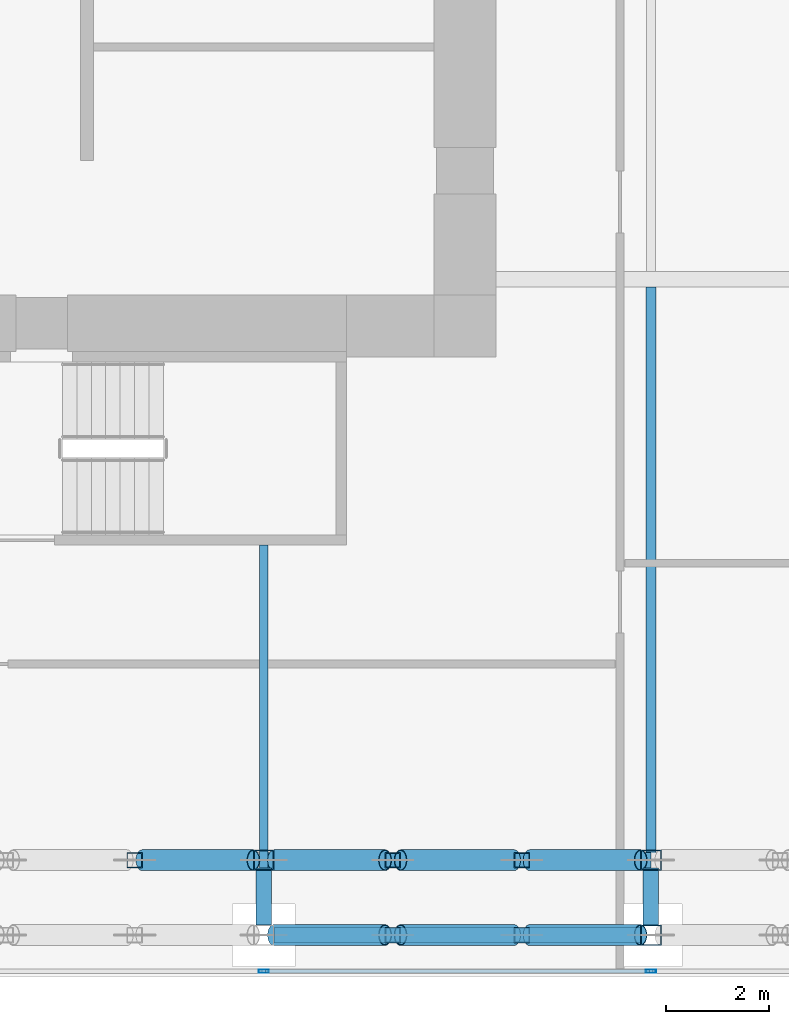
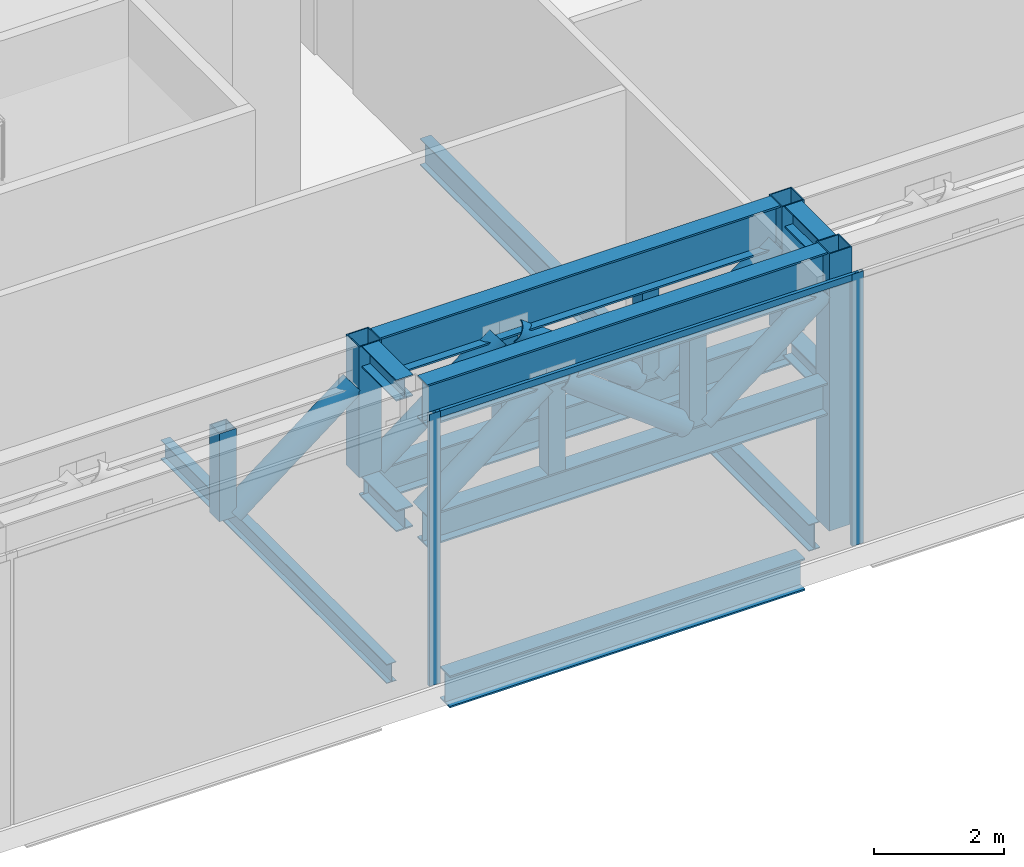
# One storey, part 5 of 39: 22 members, 7 beams, 1 element without a shape of its own.
"""IFC4 building model written with IfcOpenShell, lengths in metres."""

from ifc_helpers import new_model, si_unit, direction, frame, origin, origin_2d, place, context, subcontext, project, spatial, hollow_rectangle, hollow_circle, i_section, extrude, source, transform, mapped, material, material_profile, profile_set, type_object, element, aggregate, save


model = new_model("IFC4")

# Units and contexts
model_context = context("Model", 3, precision=1e-05, world=origin(), true_north=direction((0.0, 1.0)))
body_context = subcontext(model_context, "Body", "Model", "MODEL_VIEW")
ifc_project = project(units=[si_unit("LENGTHUNIT", "METRE"), si_unit("AREAUNIT", "SQUARE_METRE"), si_unit("VOLUMEUNIT", "CUBIC_METRE"), si_unit("PLANEANGLEUNIT", "RADIAN"), si_unit("MASSUNIT", "GRAM", prefix="KILO")], contexts=[model_context])

# Site, building, storey
site_placement = place(None, origin())
site = spatial("IfcSite", under=ifc_project, at=site_placement, CompositionType="ELEMENT")
building_placement = place(site_placement, origin())
building = spatial("IfcBuilding", under=site, at=building_placement, Name="Khomas Fold Tower", CompositionType="ELEMENT")
storey_placement = place(building_placement, frame((0.0, 0.0, 96.0)))
storey = spatial("IfcBuildingStorey", under=building, at=storey_placement, Name="L20", CompositionType="ELEMENT", Elevation=96.0)

# Beams
ifc_material_1 = material(Name="Steel S355", Category="steel")
ifc_material_profile_1 = material_profile(ifc_material_1, i_section(OverallWidth=0.169921875, OverallDepth=0.360107421875, WebThickness=0.008056640625, FlangeThickness=0.0126953125, at=origin_2d()), Name="IPE 360")
ifc_profile_set_1 = profile_set([ifc_material_profile_1], Name="Steel S355")
beam_type_1 = type_object("IfcBeamType", Name="IPE 360 beam JB2", PredefinedType="BEAM", material=ifc_profile_set_1)
shared_shape_1 = source(origin(), body_context, "Body", "SweptSolid", [
    extrude(i_section(OverallWidth=0.169921875, OverallDepth=0.360107421875, WebThickness=0.008056640625, FlangeThickness=0.0126953125, at=origin_2d()), origin(), (0.0, 0.0, 1.0), 6.9501953125),
])
beam_1_placement = place(storey_placement, frame((19.5, 1.39990234375, -0.580078125), z_axis=(0.0, 1.0, 0.0), x_axis=(-1.0, 0.0, 0.0)))
element("IfcBeam", 1, at=beam_1_placement, inside=storey, type_object=beam_type_1, Name="JB2", PredefinedType="BEAM", context=body_context, shape_type="MappedRepresentation", body=[
    mapped(shared_shape_1, transform((0.0, 0.0, 0.0))),
])
ifc_material_2 = material(Name="Steel S355", Category="steel")
ifc_material_profile_2 = material_profile(ifc_material_2, i_section(OverallWidth=0.300048828125, OverallDepth=0.60009765625, WebThickness=0.015380859375, FlangeThickness=0.030029296875, at=origin_2d()), Name="HE 600 B")
ifc_profile_set_2 = profile_set([ifc_material_profile_2], Name="Steel S355")
beam_type_2 = type_object("IfcBeamType", Name="HE 600 B spandrel SB1", PredefinedType="SPANDREL", material=ifc_profile_set_2)
shared_shape_2 = source(origin(), body_context, "Body", "SweptSolid", [
    extrude(i_section(OverallWidth=0.300048828125, OverallDepth=0.60009765625, WebThickness=0.015380859375, FlangeThickness=0.030029296875, at=origin_2d()), origin(), (0.0, 0.0, 1.0), 6.2998046875),
])
beam_2_placement = place(storey_placement, frame((20.10009765625, 0.800048828125, -0.699951171875), z_axis=(1.0, 0.0, 0.0), x_axis=(0.0, 1.0, 0.0)))
element("IfcBeam", 2, at=beam_2_placement, inside=storey, type_object=beam_type_2, Name="SB1", PredefinedType="SPANDREL", context=body_context, shape_type="MappedRepresentation", body=[
    mapped(shared_shape_2, transform((0.0, 0.0, 0.0))),
])
ifc_material_3 = material(Name="Steel S355", Category="steel")
ifc_material_profile_3 = material_profile(ifc_material_3, i_section(OverallWidth=0.199951171875, OverallDepth=0.5, WebThickness=0.01025390625, FlangeThickness=0.01611328125, at=origin_2d()), Name="IPE 500")
ifc_profile_set_3 = profile_set([ifc_material_profile_3], Name="Steel S355")
beam_type_3 = type_object("IfcBeamType", Name="IPE 500 beam JB5", PredefinedType="BEAM", material=ifc_profile_set_3)
shared_shape_3 = source(origin(), body_context, "Body", "SweptSolid", [
    extrude(i_section(OverallWidth=0.199951171875, OverallDepth=0.5, WebThickness=0.01025390625, FlangeThickness=0.01611328125, at=origin_2d()), origin(), (0.0, 0.0, 1.0), 11.9501953125),
])
beam_3_placement = place(storey_placement, frame((27.0, 1.39990234375, -0.64990234375), z_axis=(0.0, 1.0, 0.0), x_axis=(-1.0, 0.0, 0.0)))
element("IfcBeam", 3, at=beam_3_placement, inside=storey, type_object=beam_type_3, Name="JB5", PredefinedType="BEAM", context=body_context, shape_type="MappedRepresentation", body=[
    mapped(shared_shape_3, transform((0.0, 0.0, 0.0))),
])

# Members
ifc_material_4 = material(Name="Steel S355", Category="steel")
ifc_material_profile_4 = material_profile(ifc_material_4, i_section(OverallWidth=0.300048828125, OverallDepth=0.60009765625, WebThickness=0.015380859375, FlangeThickness=0.030029296875, at=origin_2d()), Name="HE 600 B")
ifc_profile_set_4 = profile_set([ifc_material_profile_4], Name="Steel S355")
member_type_1 = type_object("IfcMemberType", Name="BELT TRUSS 1 BOTTOM CHORD HE 600 B", PredefinedType="CHORD", material=ifc_profile_set_4)
shared_shape_4 = source(origin(), body_context, "Body", "SweptSolid", [
    extrude(i_section(OverallWidth=0.300048828125, OverallDepth=0.60009765625, WebThickness=0.015380859375, FlangeThickness=0.030029296875, at=origin_2d()), origin(), (0.0, 0.0, 1.0), 7.5),
])
member_1_placement = place(storey_placement, frame((19.5, 2.25, 2.449951171875), z_axis=(1.0, 0.0, 0.0), x_axis=(0.0, 1.0, 0.0)))
element("IfcMember", 4, at=member_1_placement, inside=storey, type_object=member_type_1, Name="BT1-CB", PredefinedType="CHORD", context=body_context, shape_type="MappedRepresentation", body=[
    mapped(shared_shape_4, transform((0.0, 0.0, 0.0))),
])
ifc_material_5 = material(Name="Steel S355", Category="steel")
ifc_material_profile_5 = material_profile(ifc_material_5, hollow_rectangle(XDim=0.300048828125, YDim=0.300048828125, WallThickness=0.01611328125, at=origin_2d()), Name="SHS 300x300x16")
ifc_profile_set_5 = profile_set([ifc_material_profile_5], Name="Steel S355")
member_type_2 = type_object("IfcMemberType", Name="BELT TRUSS 1 MID POST SHS 300x300x16", PredefinedType="POST", material=ifc_profile_set_5)
shared_shape_5 = source(origin(), body_context, "Body", "SweptSolid", [
    extrude(hollow_rectangle(XDim=0.300048828125, YDim=0.300048828125, WallThickness=0.01611328125, at=origin_2d()), origin(), (0.0, 0.0, 1.0), 1.64990234375),
])
for number, where, z_axis, x_axis, name in (
    (5, (22.0, 0.800048828125, 2.75), (0.0, 0.0, 1.0), (1.0, 0.0, 0.0), "BT1-M"),
    (6, (24.5, 0.800048828125, 2.75), (0.0, 0.0, 1.0), (1.0, 0.0, 0.0), "BT1-M"),
    (7, (17.0, 2.25, 2.75), (0.0, 0.0, 1.0), (1.0, 0.0, 0.0), "BT1-M"),
    (8, (22.0, 2.25, 2.75), (0.0, 0.0, 1.0), (1.0, 0.0, 0.0), "BT1-M"),
    (9, (24.5, 2.25, 2.75), (0.0, 0.0, 1.0), (1.0, 0.0, 0.0), "BT1-M"),
):
    element("IfcMember", number, at=place(storey_placement, frame(where, z_axis=z_axis, x_axis=x_axis)), inside=storey, type_object=member_type_2, Name=name, PredefinedType="POST", context=body_context, shape_type="MappedRepresentation", body=[
        mapped(shared_shape_5, transform((0.0, 0.0, 0.0))),
    ])
ifc_material_6 = material(Name="Steel S460M", Category="steel")
ifc_material_profile_6 = material_profile(ifc_material_6, i_section(OverallWidth=0.300048828125, OverallDepth=0.800048828125, WebThickness=0.017578125, FlangeThickness=0.032958984375, at=origin_2d()), Name="HE 800 B")
ifc_profile_set_6 = profile_set([ifc_material_profile_6], Name="Steel S460M")
member_type_3 = type_object("IfcMemberType", Name="BELT TRUSS 1 TOP CHORD HE 800 B", PredefinedType="CHORD", material=ifc_profile_set_6)
shared_shape_6 = source(origin(), body_context, "Body", "SweptSolid", [
    extrude(i_section(OverallWidth=0.300048828125, OverallDepth=0.800048828125, WebThickness=0.017578125, FlangeThickness=0.032958984375, at=origin_2d()), origin(), (0.0, 0.0, 1.0), 7.10009765625),
])
for number, where, z_axis, x_axis, name in (
    (10, (19.699951171875, 0.800048828125, 4.800048828125), (1.0, 0.0, 0.0), (0.0, 1.0, 0.0), "BT1-CT"),
    (11, (19.699951171875, 2.25, 4.800048828125), (1.0, 0.0, 0.0), (0.0, 1.0, 0.0), "BT1-CT"),
):
    element("IfcMember", number, at=place(storey_placement, frame(where, z_axis=z_axis, x_axis=x_axis)), inside=storey, type_object=member_type_3, Name=name, PredefinedType="CHORD", context=body_context, shape_type="MappedRepresentation", body=[
        mapped(shared_shape_6, transform((0.0, 0.0, 0.0))),
    ])
shared_shape_7 = source(origin(), body_context, "Body", "SweptSolid", [
    extrude(i_section(OverallWidth=0.300048828125, OverallDepth=0.60009765625, WebThickness=0.015380859375, FlangeThickness=0.030029296875, at=origin_2d()), origin(), (0.0, 0.0, 1.0), 7.10009765625),
])
member_2_placement = place(storey_placement, frame((19.699951171875, 0.800048828125, 2.449951171875), z_axis=(1.0, 0.0, 0.0), x_axis=(0.0, 1.0, 0.0)))
element("IfcMember", 12, at=member_2_placement, inside=storey, type_object=member_type_1, Name="BT1-CB", PredefinedType="CHORD", context=body_context, shape_type="MappedRepresentation", body=[
    mapped(shared_shape_7, transform((0.0, 0.0, 0.0))),
])
ifc_material_7 = material(Name="Steel S355", Category="steel")
ifc_material_profile_7 = material_profile(ifc_material_7, hollow_circle(Radius=0.203125, WallThickness=0.01611328125, at=origin_2d()), Name="CHS 406.4x16")
ifc_profile_set_7 = profile_set([ifc_material_profile_7], Name="Steel S355")
member_type_4 = type_object("IfcMemberType", Name="BELT TRUSS 1 DIAGONAL CHS 406.4x16", PredefinedType="BRACE", material=ifc_profile_set_7)
shared_shape_8 = source(origin(), body_context, "Body", "SweptSolid", [
    extrude(hollow_circle(Radius=0.203125, WallThickness=0.01611328125, at=origin_2d()), origin(), (0.0, 0.0, 1.0), 2.71630859375),
])
for number, where, z_axis, x_axis, name in (
    (13, (19.699951171875, 0.800048828125, 2.7451171875), (0.791563625226, 0.0, 0.611086759159), (0.0, 1.0, 0.0), "BT1-D"),
    (14, (24.64990234375, 0.800048828125, 2.7451171875), (0.791563625226, 0.0, 0.611086759159), (0.0, 1.0, 0.0), "BT1-D"),
    (15, (17.14990234375, 2.25, 2.7451171875), (0.791563625226, 0.0, 0.611086759159), (0.0, 1.0, 0.0), "BT1-D"),
    (16, (19.699951171875, 2.25, 2.7451171875), (0.791563625226, 0.0, 0.611086759159), (0.0, 1.0, 0.0), "BT1-D"),
    (17, (24.64990234375, 2.25, 2.7451171875), (0.791563625226, 0.0, 0.611086759159), (0.0, 1.0, 0.0), "BT1-D"),
):
    element("IfcMember", number, at=place(storey_placement, frame(where, z_axis=z_axis, x_axis=x_axis)), inside=storey, type_object=member_type_4, Name=name, PredefinedType="BRACE", context=body_context, shape_type="MappedRepresentation", body=[
        mapped(shared_shape_8, transform((0.0, 0.0, 0.0))),
    ])
shared_shape_9 = source(origin(), body_context, "Body", "SweptSolid", [
    extrude(hollow_circle(Radius=0.203125, WallThickness=0.01611328125, at=origin_2d()), origin(), (0.0, 0.0, 1.0), 2.756103515625),
])
for number, where, z_axis, x_axis, name in (
    (18, (22.14990234375, 0.800048828125, 4.405029296875), (0.798296022167, 0.0, -0.602265274602), (0.0, 1.0, 0.0), "BT1-D"),
    (19, (22.14990234375, 2.25, 4.405029296875), (0.798296022167, 0.0, -0.602265274602), (0.0, 1.0, 0.0), "BT1-D"),
):
    element("IfcMember", number, at=place(storey_placement, frame(where, z_axis=z_axis, x_axis=x_axis)), inside=storey, type_object=member_type_4, Name=name, PredefinedType="BRACE", context=body_context, shape_type="MappedRepresentation", body=[
        mapped(shared_shape_9, transform((0.0, 0.0, 0.0))),
    ])
ifc_material_8 = material(Name="Steel S460M", Category="steel")
ifc_material_profile_8 = material_profile(ifc_material_8, hollow_rectangle(XDim=0.39990234375, YDim=0.39990234375, WallThickness=0.02001953125, at=origin_2d()), Name="SHS 400x400x20")
ifc_profile_set_8 = profile_set([ifc_material_profile_8], Name="Steel S460M")
member_type_5 = type_object("IfcMemberType", Name="BELT TRUSS 1 COLUMN POST LONG SHS 400x400x20", PredefinedType="POST", material=ifc_profile_set_8)
shared_shape_10 = source(origin(), body_context, "Body", "SweptSolid", [
    extrude(hollow_rectangle(XDim=0.39990234375, YDim=0.39990234375, WallThickness=0.02001953125, at=origin_2d()), origin(), (0.0, 0.0, 1.0), 5.199951171875),
])
member_3_placement = place(storey_placement, frame((27.0, 0.800048828125, 0.0), z_axis=(0.0, 0.0, 1.0), x_axis=(1.0, 0.0, 0.0)))
element("IfcMember", 20, at=member_3_placement, inside=storey, type_object=member_type_5, Name="BT1-PL", PredefinedType="POST", context=body_context, shape_type="MappedRepresentation", body=[
    mapped(shared_shape_10, transform((0.0, 0.0, 0.0))),
])
ifc_material_9 = material(Name="Steel S460M", Category="steel")
ifc_material_profile_9 = material_profile(ifc_material_9, hollow_rectangle(XDim=0.39990234375, YDim=0.39990234375, WallThickness=0.02001953125, at=origin_2d()), Name="SHS 400x400x20")
ifc_profile_set_9 = profile_set([ifc_material_profile_9], Name="Steel S460M")
member_type_6 = type_object("IfcMemberType", Name="BELT TRUSS 1 COLUMN POST SHS 400x400x20", PredefinedType="POST", material=ifc_profile_set_9)
shared_shape_11 = source(origin(), body_context, "Body", "SweptSolid", [
    extrude(hollow_rectangle(XDim=0.39990234375, YDim=0.39990234375, WallThickness=0.02001953125, at=origin_2d()), origin(), (0.0, 0.0, 1.0), 2.449951171875),
])
for number, where, z_axis, x_axis, name in (
    (21, (19.5, 2.25, 2.75), (0.0, 0.0, 1.0), (1.0, 0.0, 0.0), "BT1-P"),
    (22, (27.0, 2.25, 2.75), (0.0, 0.0, 1.0), (1.0, 0.0, 0.0), "BT1-P"),
):
    element("IfcMember", number, at=place(storey_placement, frame(where, z_axis=z_axis, x_axis=x_axis)), inside=storey, type_object=member_type_6, Name=name, PredefinedType="POST", context=body_context, shape_type="MappedRepresentation", body=[
        mapped(shared_shape_11, transform((0.0, 0.0, 0.0))),
    ])

# Beams
ifc_material_10 = material(Name="Steel S355", Category="steel")
ifc_material_profile_10 = material_profile(ifc_material_10, i_section(OverallWidth=0.300048828125, OverallDepth=0.39990234375, WebThickness=0.013427734375, FlangeThickness=0.02392578125, at=origin_2d()), Name="HE 400 B")
ifc_profile_set_10 = profile_set([ifc_material_profile_10], Name="Steel S355")
beam_type_4 = type_object("IfcBeamType", Name="BELT TRUSS 1 TOP STRUT HE 400 B", PredefinedType="BEAM", material=ifc_profile_set_10)
shared_shape_12 = source(origin(), body_context, "Body", "SweptSolid", [
    extrude(i_section(OverallWidth=0.300048828125, OverallDepth=0.39990234375, WebThickness=0.013427734375, FlangeThickness=0.02392578125, at=origin_2d()), origin(), (0.0, 0.0, 1.0), 1.050048828125),
])
for number, where, z_axis, x_axis, name in (
    (23, (19.5, 2.050048828125, 5.0), (0.0, -1.0, 0.0), (1.0, 0.0, 0.0), "BT1-ST"),
    (24, (27.0, 2.050048828125, 5.0), (0.0, -1.0, 0.0), (1.0, 0.0, 0.0), "BT1-ST"),
):
    element("IfcBeam", number, at=place(storey_placement, frame(where, z_axis=z_axis, x_axis=x_axis)), inside=storey, type_object=beam_type_4, Name=name, PredefinedType="BEAM", context=body_context, shape_type="MappedRepresentation", body=[
        mapped(shared_shape_12, transform((0.0, 0.0, 0.0))),
    ])
ifc_material_11 = material(Name="Steel S355", Category="steel")
ifc_material_profile_11 = material_profile(ifc_material_11, i_section(OverallWidth=0.300048828125, OverallDepth=0.39990234375, WebThickness=0.013427734375, FlangeThickness=0.02392578125, at=origin_2d()), Name="HE 400 B")
ifc_profile_set_11 = profile_set([ifc_material_profile_11], Name="Steel S355")
beam_type_5 = type_object("IfcBeamType", Name="BELT TRUSS 1 BOTTOM STRUT HE 400 B", PredefinedType="BEAM", material=ifc_profile_set_11)
shared_shape_13 = source(origin(), body_context, "Body", "SweptSolid", [
    extrude(i_section(OverallWidth=0.300048828125, OverallDepth=0.39990234375, WebThickness=0.013427734375, FlangeThickness=0.02392578125, at=origin_2d()), origin(), (0.0, 0.0, 1.0), 1.10009765625),
])
for number, where, z_axis, x_axis, name in (
    (25, (19.5, 2.10009765625, 2.550048828125), (0.0, -1.0, 0.0), (1.0, 0.0, 0.0), "BT1-SB"),
    (26, (27.0, 2.10009765625, 2.550048828125), (0.0, -1.0, 0.0), (1.0, 0.0, 0.0), "BT1-SB"),
):
    element("IfcBeam", number, at=place(storey_placement, frame(where, z_axis=z_axis, x_axis=x_axis)), inside=storey, type_object=beam_type_5, Name=name, PredefinedType="BEAM", context=body_context, shape_type="MappedRepresentation", body=[
        mapped(shared_shape_13, transform((0.0, 0.0, 0.0))),
    ])

# Curtain wall, members
ifc_material_12 = material(Name="Aluminium framed double glazing", Category="aluminium")
curtain_wall_type = type_object("IfcCurtainWallType", Name="SK-Plant louvre wall CW4", PredefinedType="NOTDEFINED", material=ifc_material_12)
curtain_wall_placement = place(storey_placement, origin())
curtain_wall = element("IfcCurtainWall", 27, at=curtain_wall_placement, inside=storey, type_object=curtain_wall_type, Name="CW4 run L20 00-0", PredefinedType="NOTDEFINED")
ifc_material_13 = material(Name="Aluminium", Category="aluminium")
ifc_material_profile_12 = material_profile(ifc_material_13, hollow_rectangle(XDim=0.06005859375, YDim=0.199951171875, WallThickness=0.00390625, at=origin_2d()), Name="SK-Plant louvre wall mullion CW4-M")
ifc_profile_set_12 = profile_set([ifc_material_profile_12], Name="Aluminium")
member_type_7 = type_object("IfcMemberType", Name="SK-Plant louvre wall mullion CW4-M", PredefinedType="MULLION", material=ifc_profile_set_12)
shared_shape_14 = source(origin(), body_context, "Body", "SweptSolid", [
    extrude(hollow_rectangle(XDim=0.06005859375, YDim=0.199951171875, WallThickness=0.00390625, at=origin_2d()), origin(), (0.0, 0.0, 1.0), 5.10009765625),
])
member_4_placement = place(storey_placement, frame((19.5, 0.10009765625, 0.0), z_axis=(0.0, 0.0, 1.0), x_axis=(0.0, 1.0, 0.0)))
member_4 = element("IfcMember", 28, at=member_4_placement, type_object=member_type_7, Name="CW4 mullion 4", PredefinedType="MULLION", context=body_context, shape_type="MappedRepresentation", body=[
    mapped(shared_shape_14, transform((0.0, 0.0, 0.0))),
])
member_5_placement = place(storey_placement, frame((27.0, 0.10009765625, 0.0), z_axis=(0.0, 0.0, 1.0), x_axis=(0.0, 1.0, 0.0)))
member_5 = element("IfcMember", 29, at=member_5_placement, type_object=member_type_7, Name="CW4 mullion 5", PredefinedType="MULLION", context=body_context, shape_type="MappedRepresentation", body=[
    mapped(shared_shape_14, transform((0.0, 0.0, 0.0))),
])
ifc_material_14 = material(Name="Aluminium", Category="aluminium")
ifc_material_profile_13 = material_profile(ifc_material_14, hollow_rectangle(XDim=0.06005859375, YDim=0.1201171875, WallThickness=0.00390625, at=origin_2d()), Name="SK-Plant louvre wall transom CW4-T")
ifc_profile_set_13 = profile_set([ifc_material_profile_13], Name="Aluminium")
member_type_8 = type_object("IfcMemberType", Name="SK-Plant louvre wall transom CW4-T", PredefinedType="USERDEFINED", material=ifc_profile_set_13)
shared_shape_15 = source(origin(), body_context, "Body", "SweptSolid", [
    extrude(hollow_rectangle(XDim=0.06005859375, YDim=0.1201171875, WallThickness=0.00390625, at=origin_2d()), origin(), (0.0, 0.0, 1.0), 7.43994140625),
])
member_6_placement = place(storey_placement, frame((19.530029296875, 0.10009765625, 5.0400390625), z_axis=(1.0, 0.0, 0.0), x_axis=(0.0, 1.0, 0.0)))
member_6 = element("IfcMember", 30, at=member_6_placement, type_object=member_type_8, Name="CW4 transom 4", ObjectType="TRANSOM", PredefinedType="USERDEFINED", context=body_context, shape_type="MappedRepresentation", body=[
    mapped(shared_shape_15, transform((0.0, 0.0, 0.0))),
])
aggregate(curtain_wall, [member_4, member_5, member_6])

save(model, "model.ifc")
